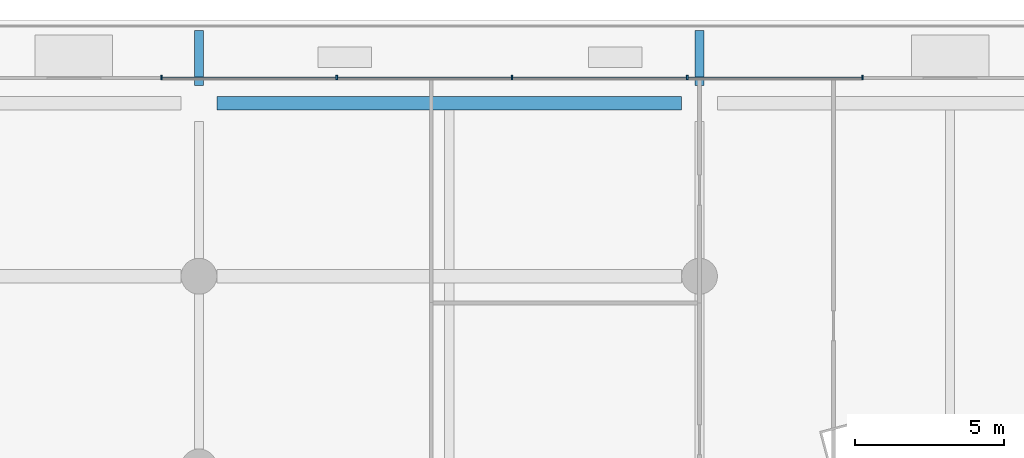
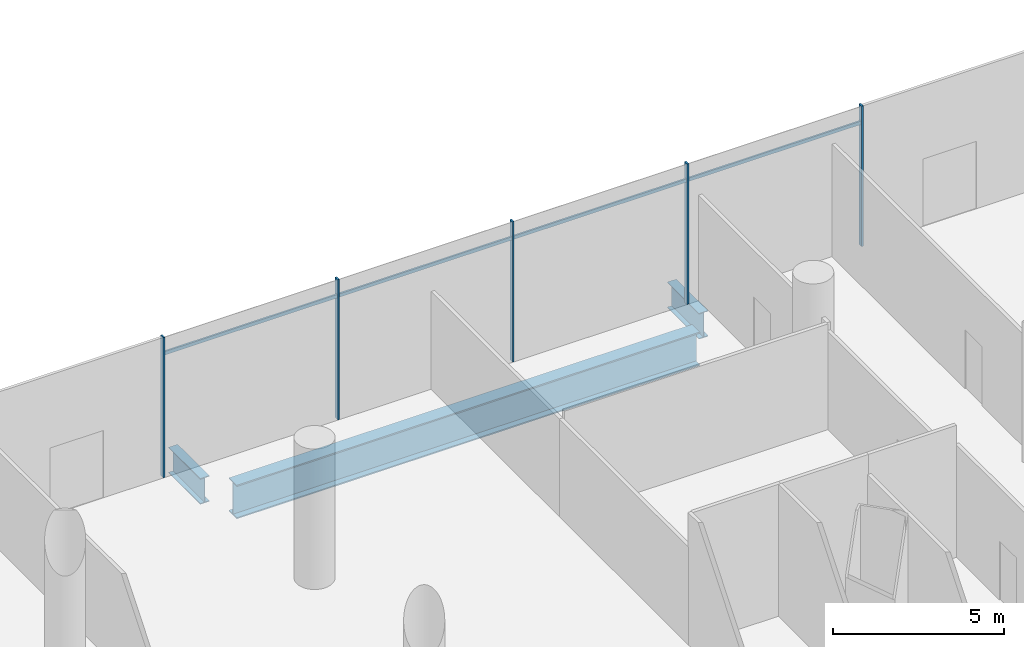
# One storey, part 27 of 51: 9 members, 3 beams, 1 element without a shape of its own.
"""IFC4 building model written with IfcOpenShell, lengths in metres."""

from ifc_helpers import new_model, si_unit, direction, frame, origin, origin_2d, place, context, subcontext, project, spatial, rectangle, i_section, extrude, material, material_profile, profile_set, type_object, element, aggregate, save


model = new_model("IFC4")

# Units and contexts
model_context = context("Model", 3, precision=1e-05, world=origin(), true_north=direction((0.0, 1.0)))
body_context = subcontext(model_context, "Body", "Model", "MODEL_VIEW")
ifc_project = project(units=[si_unit("LENGTHUNIT", "METRE"), si_unit("AREAUNIT", "SQUARE_METRE"), si_unit("VOLUMEUNIT", "CUBIC_METRE"), si_unit("PLANEANGLEUNIT", "RADIAN"), si_unit("MASSUNIT", "GRAM", prefix="KILO")], contexts=[model_context])

# Site, building, storey
site_placement = place(None, origin())
site = spatial("IfcSite", under=ifc_project, at=site_placement, CompositionType="ELEMENT")
building_placement = place(site_placement, origin())
building = spatial("IfcBuilding", under=site, at=building_placement, Name="Rimbun Link Towers", CompositionType="ELEMENT")
storey_placement = place(building_placement, frame((0.0, 0.0, 7.0)))
storey = spatial("IfcBuildingStorey", under=building, at=storey_placement, Name="L01", CompositionType="ELEMENT", Elevation=7.0)

# Curtain wall, members
ifc_material_1 = material(Name="Aluminium 6063-T6 and low-iron glass", Category="aluminium")
curtain_wall_type = type_object("IfcCurtainWallType", Name="CW3 podium shopfront", PredefinedType="NOTDEFINED", material=ifc_material_1)
curtain_wall_placement = place(storey_placement, origin())
curtain_wall = element("IfcCurtainWall", 1, at=curtain_wall_placement, inside=storey, type_object=curtain_wall_type, Name="CW3 L01 PD", PredefinedType="NOTDEFINED")
ifc_material_2 = material(Name="Aluminium 6063-T6", Category="aluminium")
ifc_material_profile_1 = material_profile(ifc_material_2, rectangle(XDim=0.14990234375, YDim=0.06005859375, at=origin_2d()), Name="MULLION 60X150")
ifc_profile_set_1 = profile_set([ifc_material_profile_1], Name="Aluminium 6063-T6")
member_type_1 = type_object("IfcMemberType", Name="CW3 mullion 60X150", PredefinedType="MULLION", material=ifc_profile_set_1)
member_1_placement = place(storey_placement, frame((26.470703125, 34.074951171875, 0.0), z_axis=(0.0, 0.0, 1.0), x_axis=(0.0, 1.0, 0.0)))
member_1 = element("IfcMember", 2, at=member_1_placement, type_object=member_type_1, Name="CW3 mullion", PredefinedType="MULLION", context=body_context, shape_type="SweptSolid", body=[
    extrude(rectangle(XDim=0.14990234375, YDim=0.06005859375, at=origin_2d()), origin(), (0.0, 0.0, 1.0), 5.0),
])
member_2_placement = place(storey_placement, frame((20.588134765625, 34.074951171875, 0.0), z_axis=(0.0, 0.0, 1.0), x_axis=(0.0, 1.0, 0.0)))
member_2 = element("IfcMember", 3, at=member_2_placement, type_object=member_type_1, Name="CW3 mullion", PredefinedType="MULLION", context=body_context, shape_type="SweptSolid", body=[
    extrude(rectangle(XDim=0.14990234375, YDim=0.06005859375, at=origin_2d()), origin(), (0.0, 0.0, 1.0), 5.0),
])
member_3_placement = place(storey_placement, frame((14.705810546875, 34.074951171875, 0.0), z_axis=(0.0, 0.0, 1.0), x_axis=(0.0, 1.0, 0.0)))
member_3 = element("IfcMember", 4, at=member_3_placement, type_object=member_type_1, Name="CW3 mullion", PredefinedType="MULLION", context=body_context, shape_type="SweptSolid", body=[
    extrude(rectangle(XDim=0.14990234375, YDim=0.06005859375, at=origin_2d()), origin(), (0.0, 0.0, 1.0), 5.0),
])
member_4_placement = place(storey_placement, frame((8.823486328125, 34.074951171875, 0.0), z_axis=(0.0, 0.0, 1.0), x_axis=(0.0, 1.0, 0.0)))
member_4 = element("IfcMember", 5, at=member_4_placement, type_object=member_type_1, Name="CW3 mullion", PredefinedType="MULLION", context=body_context, shape_type="SweptSolid", body=[
    extrude(rectangle(XDim=0.14990234375, YDim=0.06005859375, at=origin_2d()), origin(), (0.0, 0.0, 1.0), 5.0),
])
member_5_placement = place(storey_placement, frame((2.941162109375, 34.074951171875, 0.0), z_axis=(0.0, 0.0, 1.0), x_axis=(0.0, 1.0, 0.0)))
member_5 = element("IfcMember", 6, at=member_5_placement, type_object=member_type_1, Name="CW3 mullion", PredefinedType="MULLION", context=body_context, shape_type="SweptSolid", body=[
    extrude(rectangle(XDim=0.14990234375, YDim=0.06005859375, at=origin_2d()), origin(), (0.0, 0.0, 1.0), 5.0),
])
ifc_material_3 = material(Name="Aluminium 6063-T6", Category="aluminium")
ifc_material_profile_2 = material_profile(ifc_material_3, rectangle(XDim=0.06005859375, YDim=0.1201171875, at=origin_2d()), Name="TRANSOM 60X120")
ifc_profile_set_2 = profile_set([ifc_material_profile_2], Name="Aluminium 6063-T6")
member_type_2 = type_object("IfcMemberType", Name="CW3 transom 60X120", PredefinedType="USERDEFINED", material=ifc_profile_set_2)
member_6_placement = place(storey_placement, frame((20.6181640625, 34.053955078125, 4.39990234375), z_axis=(1.0, 0.0, 0.0), x_axis=(0.0, 1.0, 0.0)))
member_6 = element("IfcMember", 7, at=member_6_placement, type_object=member_type_2, Name="CW3 transom", ObjectType="TRANSOM", PredefinedType="USERDEFINED", context=body_context, shape_type="SweptSolid", body=[
    extrude(rectangle(XDim=0.06005859375, YDim=0.1201171875, at=origin_2d()), origin(), (0.0, 0.0, 1.0), 5.822509765625),
])
member_7_placement = place(storey_placement, frame((14.73583984375, 34.053955078125, 4.39990234375), z_axis=(1.0, 0.0, 0.0), x_axis=(0.0, 1.0, 0.0)))
member_7 = element("IfcMember", 8, at=member_7_placement, type_object=member_type_2, Name="CW3 transom", ObjectType="TRANSOM", PredefinedType="USERDEFINED", context=body_context, shape_type="SweptSolid", body=[
    extrude(rectangle(XDim=0.06005859375, YDim=0.1201171875, at=origin_2d()), origin(), (0.0, 0.0, 1.0), 5.822509765625),
])
member_8_placement = place(storey_placement, frame((8.853515625, 34.053955078125, 4.39990234375), z_axis=(1.0, 0.0, 0.0), x_axis=(0.0, 1.0, 0.0)))
member_8 = element("IfcMember", 9, at=member_8_placement, type_object=member_type_2, Name="CW3 transom", ObjectType="TRANSOM", PredefinedType="USERDEFINED", context=body_context, shape_type="SweptSolid", body=[
    extrude(rectangle(XDim=0.06005859375, YDim=0.1201171875, at=origin_2d()), origin(), (0.0, 0.0, 1.0), 5.822265625),
])
member_9_placement = place(storey_placement, frame((2.97119140625, 34.053955078125, 4.39990234375), z_axis=(1.0, 0.0, 0.0), x_axis=(0.0, 1.0, 0.0)))
member_9 = element("IfcMember", 10, at=member_9_placement, type_object=member_type_2, Name="CW3 transom", ObjectType="TRANSOM", PredefinedType="USERDEFINED", context=body_context, shape_type="SweptSolid", body=[
    extrude(rectangle(XDim=0.06005859375, YDim=0.1201171875, at=origin_2d()), origin(), (0.0, 0.0, 1.0), 5.822265625),
])
aggregate(curtain_wall, [member_1, member_2, member_3, member_4, member_5, member_6, member_7, member_8, member_9])

# Beams
ifc_material_4 = material(Name="Steel S355J2", Category="steel")
ifc_material_profile_3 = material_profile(ifc_material_4, i_section(OverallWidth=0.449951171875, OverallDepth=1.199951171875, WebThickness=0.030029296875, FlangeThickness=0.044921875, at=origin_2d()), Name="PG 1200x450x30/45")
ifc_profile_set_3 = profile_set([ifc_material_profile_3], Name="Steel S355J2")
beam_type_1 = type_object("IfcBeamType", Name="PG 1200x450x30/45", PredefinedType="BEAM", material=ifc_profile_set_3)
beam_placement = place(storey_placement, frame((4.800048828125, 33.199951171875, -0.89990234375), z_axis=(1.0, 0.0, 0.0), x_axis=(0.0, 1.0, 0.0)))
element("IfcBeam", 11, at=beam_placement, inside=storey, type_object=beam_type_1, Name="Grid beam L01 +33.2", PredefinedType="BEAM", context=body_context, shape_type="SweptSolid", body=[
    extrude(i_section(OverallWidth=0.449951171875, OverallDepth=1.199951171875, WebThickness=0.030029296875, FlangeThickness=0.044921875, at=origin_2d()), origin(), (0.0, 0.0, 1.0), 15.599853515625),
])
ifc_material_5 = material(Name="Steel S355J2", Category="steel")
ifc_material_profile_4 = material_profile(ifc_material_5, i_section(OverallWidth=0.305419921875, OverallDepth=0.91845703125, WebThickness=0.017333984375, FlangeThickness=0.02783203125, at=origin_2d()), Name="UB 914x305x253")
ifc_profile_set_4 = profile_set([ifc_material_profile_4], Name="Steel S355J2")
beam_type_2 = type_object("IfcBeamType", Name="UB 914x305x253", PredefinedType="BEAM", material=ifc_profile_set_4)
for number, where, z_axis, x_axis, name in (
    (12, (4.199951171875, 33.800048828125, -0.75927734375), (0.0, 1.0, 0.0), (-1.0, 0.0, 0.0), "Grid beam L01 +4.2"),
    (13, (21.0, 33.800048828125, -0.75927734375), (0.0, 1.0, 0.0), (-1.0, 0.0, 0.0), "Grid beam L01 +21.0"),
):
    element("IfcBeam", number, at=place(storey_placement, frame(where, z_axis=z_axis, x_axis=x_axis)), inside=storey, type_object=beam_type_2, Name=name, PredefinedType="BEAM", context=body_context, shape_type="SweptSolid", body=[
        extrude(i_section(OverallWidth=0.305419921875, OverallDepth=0.91845703125, WebThickness=0.017333984375, FlangeThickness=0.02783203125, at=origin_2d()), origin(), (0.0, 0.0, 1.0), 1.84912109375),
    ])

save(model, "model.ifc")
